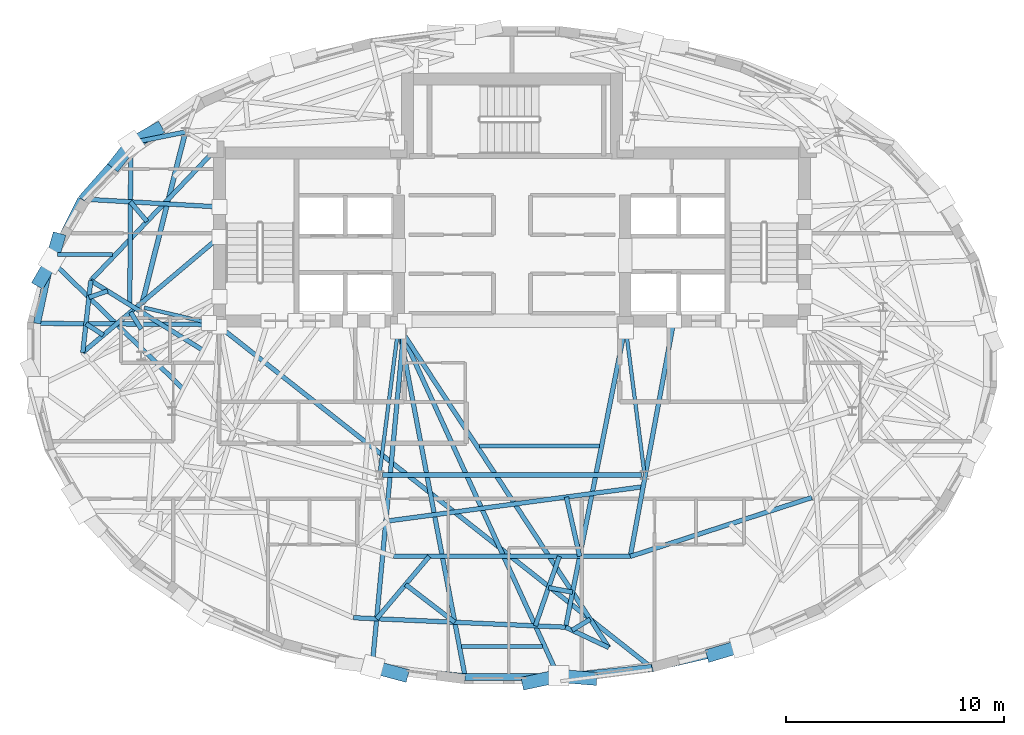
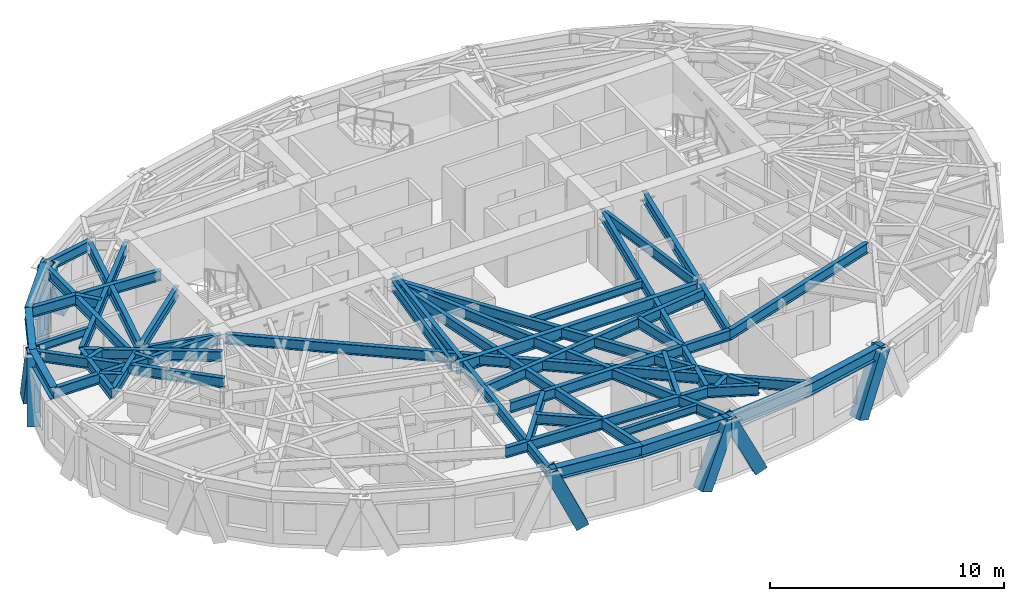
# One storey, part 2 of 13: 46 beams, 8 members.
"""IFC4 building model written with IfcOpenShell, lengths in metres."""

import ifcopenshell
import ifcopenshell.guid

model = None  # the IFC model being written
_history = None  # IfcOwnerHistory: only IFC2X3 demands one
_inside = {}  # id of a spatial element -> (the spatial element, [elements in it])
_under = {}  # id of a project, library or spatial element -> (it, [spatial elements below it])
_declared = {}  # id of a project -> (the project, [libraries it declares])
_typed = {}  # id of a type object -> (the type object, [elements of that type])
_made_of = {}  # id of a material, layer set ... -> (it, [elements and type objects made of it])


def new_model(schema):
    """Start an empty IFC model of exactly this schema.

    Asked for "IFC4X3", IfcOpenShell would pick the latest addendum, in which some entities
    have other attributes; the version numbers below select the first issue.
    IFC2X3 requires an IfcOwnerHistory on every rooted entity: one is made here for all.
    """
    global model, _history
    if schema == "IFC4X3":
        model = ifcopenshell.file(schema_version=(4, 3, 0, 0))
    else:
        model = ifcopenshell.file(schema=schema)
    _inside.clear()
    _under.clear()
    _declared.clear()
    _typed.clear()
    _made_of.clear()
    _history = None
    if model.schema == "IFC2X3":
        org = make("IfcOrganization", Name="unknown")
        user = make(
            "IfcPersonAndOrganization",
            ThePerson=make("IfcPerson", FamilyName="unknown"),
            TheOrganization=org,
        )
        app = make(
            "IfcApplication",
            ApplicationDeveloper=org,
            Version="unknown",
            ApplicationFullName="unknown",
            ApplicationIdentifier="unknown",
        )
        _history = make(
            "IfcOwnerHistory",
            OwningUser=user,
            OwningApplication=app,
            ChangeAction="ADDED",
            CreationDate=0,
        )
    return model


def make(cls, **values):
    """One entity of the class cls with the attributes given. An attribute that is None is left unset."""
    return model.create_entity(
        cls, **{name: value for name, value in values.items() if value is not None}
    )


def rooted(cls, **values):
    """An entity with a GlobalId (a new one), such as an element, a storey or a relation."""
    return make(cls, GlobalId=ifcopenshell.guid.new(), OwnerHistory=_history, **values)


def si_unit(unit_type, name, prefix=None):
    """IfcSIUnit, for example si_unit("LENGTHUNIT", "METRE", prefix="MILLI")."""
    return make("IfcSIUnit", UnitType=unit_type, Prefix=prefix, Name=name)


def assignment(units):
    """IfcUnitAssignment: the units of a project."""
    return None if units is None else make("IfcUnitAssignment", Units=units)


def point(xyz):
    """IfcCartesianPoint."""
    return None if xyz is None else make("IfcCartesianPoint", Coordinates=xyz)


def direction(xyz):
    """IfcDirection."""
    return None if xyz is None else make("IfcDirection", DirectionRatios=xyz)


def frame(location, z_axis=None, x_axis=None):
    """IfcAxis2Placement3D, a coordinate frame: its origin and axes. An axis left out is left unset."""
    return make(
        "IfcAxis2Placement3D",
        Location=point(location),
        Axis=direction(z_axis),
        RefDirection=direction(x_axis),
    )


def frame_2d(location, x_axis=None):
    """IfcAxis2Placement2D, a coordinate frame in the plane: its origin and x axis."""
    return make(
        "IfcAxis2Placement2D", Location=point(location), RefDirection=direction(x_axis)
    )


def origin():
    """The frame at (0, 0, 0) with its axes left unset."""
    return frame((0.0, 0.0, 0.0))


def origin_2d():
    """The frame at (0, 0) in the plane with its x axis left unset."""
    return frame_2d((0.0, 0.0))


def place(relative_to, where):
    """IfcLocalPlacement: puts the frame where relative to a parent placement (None: the world)."""
    return make(
        "IfcLocalPlacement", PlacementRelTo=relative_to, RelativePlacement=where
    )


def context(
    kind, dimensions, precision=None, world=None, true_north=None, identifier=None
):
    """IfcGeometricRepresentationContext, for example the 3D "Model" context."""
    return make(
        "IfcGeometricRepresentationContext",
        ContextIdentifier=identifier,
        ContextType=kind,
        CoordinateSpaceDimension=dimensions,
        Precision=precision,
        WorldCoordinateSystem=world,
        TrueNorth=true_north,
    )


def subcontext(parent, identifier, kind, view, scale=None):
    """IfcGeometricRepresentationSubContext, for example "Body" below "Model"."""
    return make(
        "IfcGeometricRepresentationSubContext",
        ContextIdentifier=identifier,
        ContextType=kind,
        ParentContext=parent,
        TargetScale=scale,
        TargetView=view,
    )


def project(units=None, contexts=None):
    """IfcProject with its units and contexts."""
    return rooted(
        "IfcProject",
        Name="project",
        RepresentationContexts=contexts,
        UnitsInContext=assignment(units),
    )


def spatial(cls, under=None, at=None, **own):
    """A site, building, storey or space (cls), placed at a placement, below another one or the project."""
    s = rooted(cls, ObjectPlacement=at, **own)
    if under is not None:
        _under.setdefault(under.id(), (under, []))[1].append(s)
    return s


def profile(cls, at=None, kind="AREA", **sizes):
    """A parametric profile (cls). Its sizes go by their IFC names, for example OverallWidth=200.0."""
    return make(cls, ProfileType=kind, Position=at, **sizes)


def hollow_rectangle(**sizes):
    """IfcRectangleHollowProfileDef."""
    return profile("IfcRectangleHollowProfileDef", **sizes)


def i_section(**sizes):
    """IfcIShapeProfileDef."""
    return profile("IfcIShapeProfileDef", **sizes)


def extrude(swept, where, along, depth):
    """IfcExtrudedAreaSolid: the profile swept, set in the frame where, extruded along a direction by depth."""
    return make(
        "IfcExtrudedAreaSolid",
        SweptArea=swept,
        Position=where,
        ExtrudedDirection=direction(along),
        Depth=depth,
    )


def shape(context_of_items, identifier, shape_type, items):
    """IfcShapeRepresentation: the items that make up one representation, for example the "Body"."""
    return make(
        "IfcShapeRepresentation",
        ContextOfItems=context_of_items,
        RepresentationIdentifier=identifier,
        RepresentationType=shape_type,
        Items=items,
    )


def material(Name=None, Category=None):
    """IfcMaterial."""
    return make("IfcMaterial", Name=Name, Category=Category)


def material_profile(
    of_material, cross_section, Name=None, Category=None, Priority=None
):
    """IfcMaterialProfile: a cross section and its material."""
    return make(
        "IfcMaterialProfile",
        Name=Name,
        Material=of_material,
        Profile=cross_section,
        Priority=Priority,
        Category=Category,
    )


def profile_set(profiles, Name=None, composite=None):
    """IfcMaterialProfileSet."""
    return make(
        "IfcMaterialProfileSet",
        Name=Name,
        MaterialProfiles=profiles,
        CompositeProfile=composite,
    )


def made_of(thing, what):
    """Note that an element or type object is made of a material, layer set ...; save() writes the relation."""
    if what is not None:
        _made_of.setdefault(what.id(), (what, []))[1].append(thing)
    return thing


def type_object(cls, material=None, **own):
    """A type object (cls), such as IfcWallType, which elements share."""
    return made_of(rooted(cls, **own), material)


def element(
    cls,
    number,
    at=None,
    inside=None,
    cuts=None,
    type_object=None,
    material=None,
    context=None,
    identifier="Body",
    shape_type=None,
    held_by="IfcProductDefinitionShape",
    body=None,
    shapes=None,
    **own,
):
    """One element of the class cls, such as IfcWall. Its Tag is "e" and its number.

    at: its placement. inside: the storey or other place that contains it. cuts: it is an
    opening in that element (IfcRelVoidsElement). A single representation is given by context,
    identifier, shape_type and body (its items); several are given by shapes. held_by: the class
    of the entity that holds the representations. save() writes the other relations.
    """
    e = rooted(cls, Tag="e%d" % number, ObjectPlacement=at, **own)
    if body is not None:
        shapes = [shape(context, identifier, shape_type, body)]
    if shapes is not None:
        e.Representation = make(held_by, Representations=shapes)
    if inside is not None:
        _inside.setdefault(inside.id(), (inside, []))[1].append(e)
    if cuts is not None:
        rooted(
            "IfcRelVoidsElement", RelatingBuildingElement=cuts, RelatedOpeningElement=e
        )
    if type_object is not None:
        _typed.setdefault(type_object.id(), (type_object, []))[1].append(e)
    return made_of(e, material)


def aggregate(whole, parts):
    """IfcRelAggregates: a whole, such as a stair, and the parts it consists of."""
    return rooted("IfcRelAggregates", RelatingObject=whole, RelatedObjects=parts)


def save(model, path):
    """Write the relations noted so far, then the file.

    IfcRelAggregates (storeys below a building ...), IfcRelContainedInSpatialStructure (elements
    in a storey), IfcRelDefinesByType, IfcRelAssociatesMaterial and IfcRelDeclares: one each for
    every whole, place, type object, material and project.
    """
    for whole, parts in _under.values():
        aggregate(whole, parts)
    for where, things in _inside.values():
        rooted(
            "IfcRelContainedInSpatialStructure",
            RelatedElements=things,
            RelatingStructure=where,
        )
    for kind, things in _typed.values():
        rooted("IfcRelDefinesByType", RelatedObjects=things, RelatingType=kind)
    for what, things in _made_of.values():
        rooted("IfcRelAssociatesMaterial", RelatedObjects=things, RelatingMaterial=what)
    for by, libraries in _declared.values():
        rooted("IfcRelDeclares", RelatingContext=by, RelatedDefinitions=libraries)
    model.write(path)


model = new_model("IFC4")

# Units and contexts
model_context = context("Model", 3, precision=1e-05, world=origin(), true_north=direction((0.0, 1.0)))
body_context = subcontext(model_context, "Body", "Model", "MODEL_VIEW")
ifc_project = project(units=[si_unit("LENGTHUNIT", "METRE"), si_unit("AREAUNIT", "SQUARE_METRE"), si_unit("VOLUMEUNIT", "CUBIC_METRE"), si_unit("PLANEANGLEUNIT", "RADIAN"), si_unit("MASSUNIT", "GRAM", prefix="KILO")], contexts=[model_context])

# Site, building, storey
site_placement = place(None, origin())
site = spatial("IfcSite", under=ifc_project, at=site_placement, CompositionType="ELEMENT")
building_placement = place(site_placement, origin())
building = spatial("IfcBuilding", under=site, at=building_placement, Name="Keldmark Tower", CompositionType="ELEMENT")
storey_placement = place(building_placement, frame((0.0, 0.0, 232.050048828125)))
storey = spatial("IfcBuildingStorey", under=building, at=storey_placement, Name="L65", CompositionType="ELEMENT", Elevation=232.050048828125)

# Beams
ifc_material_1 = material(Name="Steel ASTM A992 Grade 50", Category="steel")
ifc_material_profile_1 = material_profile(ifc_material_1, i_section(OverallWidth=0.177978515625, OverallDepth=0.403076171875, WebThickness=0.007568359375, FlangeThickness=0.010986328125, at=origin_2d()), Name="W16X36")
ifc_profile_set_1 = profile_set([ifc_material_profile_1], Name="Steel ASTM A992 Grade 50")
beam_type_1 = type_object("IfcBeamType", Name="Composite Floor Joist W16X36", PredefinedType="JOIST", material=ifc_profile_set_1)
beam_1_placement = place(storey_placement, frame((-2.3173828125, -13.3798828125, 2.7685546875), z_axis=(1.0, 0.0, 0.0), x_axis=(0.0, 1.0, 0.0)))
element("IfcBeam", 1, at=beam_1_placement, inside=storey, type_object=beam_type_1, Name="L65 Composite Floor Joist J01", PredefinedType="JOIST", context=body_context, shape_type="SweptSolid", body=[
    extrude(i_section(OverallWidth=0.177978515625, OverallDepth=0.403076171875, WebThickness=0.007568359375, FlangeThickness=0.010986328125, at=origin_2d()), origin(), (0.0, 0.0, 1.0), 3.7158203125),
])
beam_2_placement = place(storey_placement, frame((-1.49658203125, -4.179931640625, 2.7685546875), z_axis=(1.0, 0.0, 0.0), x_axis=(0.0, 1.0, 0.0)))
element("IfcBeam", 2, at=beam_2_placement, inside=storey, type_object=beam_type_1, Name="L65 Composite Floor Joist J04", PredefinedType="JOIST", context=body_context, shape_type="SweptSolid", body=[
    extrude(i_section(OverallWidth=0.177978515625, OverallDepth=0.403076171875, WebThickness=0.007568359375, FlangeThickness=0.010986328125, at=origin_2d()), origin(), (0.0, 0.0, 1.0), 5.510986328125),
])
beam_3_placement = place(storey_placement, frame((-20.87939453125, 4.6201171875, 2.7685546875), z_axis=(1.0, 0.0, 0.0), x_axis=(0.0, 1.0, 0.0)))
element("IfcBeam", 3, at=beam_3_placement, inside=storey, type_object=beam_type_1, Name="L65 Composite Floor Joist J06", PredefinedType="JOIST", context=body_context, shape_type="SweptSolid", body=[
    extrude(i_section(OverallWidth=0.177978515625, OverallDepth=0.403076171875, WebThickness=0.007568359375, FlangeThickness=0.010986328125, at=origin_2d()), origin(), (0.0, 0.0, 1.0), 2.54443359375),
])

# Members
ifc_material_2 = material(Name="Steel ASTM A572 Grade 50", Category="steel")
ifc_material_profile_2 = material_profile(ifc_material_2, hollow_rectangle(XDim=0.60009765625, YDim=0.60009765625, WallThickness=0.034912109375, at=origin_2d()), Name="BOX600X600X35")
ifc_profile_set_2 = profile_set([ifc_material_profile_2], Name="Steel ASTM A572 Grade 50")
member_type = type_object("IfcMemberType", Name="Diagrid Zone 4 Brace BOX600X600X35", PredefinedType="BRACE", material=ifc_profile_set_2)
member_1_placement = place(storey_placement, frame((-16.324462890625, 10.34423828125, -0.260009765625), z_axis=(-0.338365773657, -0.192287794861, 0.921159056388), x_axis=(0.494076446789, -0.869418463531, 0.0)))
element("IfcMember", 4, at=member_1_placement, inside=storey, type_object=member_type, Name="L65 Perimeter Diagrid Brace 06B", PredefinedType="BRACE", context=body_context, shape_type="SweptSolid", body=[
    extrude(hollow_rectangle(XDim=0.60009765625, YDim=0.60009765625, WallThickness=0.034912109375, at=origin_2d()), origin(), (0.0, 0.0, 1.0), 3.3759765625),
])
member_2_placement = place(storey_placement, frame((-18.16064453125, 8.81298828125, -0.260009765625), z_axis=(0.212120336598, 0.268985698044, 0.939495426838), x_axis=(-0.785218835087, 0.619218362958, 0.0)))
element("IfcMember", 5, at=member_2_placement, inside=storey, type_object=member_type, Name="L65 Perimeter Diagrid Brace 07A", PredefinedType="BRACE", context=body_context, shape_type="SweptSolid", body=[
    extrude(hollow_rectangle(XDim=0.60009765625, YDim=0.60009765625, WallThickness=0.034912109375, at=origin_2d()), origin(), (0.0, 0.0, 1.0), 3.31005859375),
])
member_3_placement = place(storey_placement, frame((-20.849853515625, 5.306884765625, -0.260009765625), z_axis=(-0.086104928062, -0.298755746934, 0.950437238873), x_axis=(0.960887473413, -0.276939096983, 0.0)))
element("IfcMember", 6, at=member_3_placement, inside=storey, type_object=member_type, Name="L65 Perimeter Diagrid Brace 07B", PredefinedType="BRACE", context=body_context, shape_type="SweptSolid", body=[
    extrude(hollow_rectangle(XDim=0.60009765625, YDim=0.60009765625, WallThickness=0.034912109375, at=origin_2d()), origin(), (0.0, 0.0, 1.0), 3.27197265625),
])
member_4_placement = place(storey_placement, frame((-21.659912109375, 3.419189453125, -0.260009765625), z_axis=(0.162076790488, 0.280180409589, 0.946165974905), x_axis=(-0.865604293253, 0.500728676532, 0.0)))
element("IfcMember", 7, at=member_4_placement, inside=storey, type_object=member_type, Name="L65 Perimeter Diagrid Brace 08A", PredefinedType="BRACE", context=body_context, shape_type="SweptSolid", body=[
    extrude(hollow_rectangle(XDim=0.60009765625, YDim=0.60009765625, WallThickness=0.034912109375, at=origin_2d()), origin(), (0.0, 0.0, 1.0), 3.286865234375),
])
member_5_placement = place(storey_placement, frame((-5.050537109375, -14.669921875, -0.260009765625), z_axis=(-0.397960766019, 0.106161024047, 0.911239302095), x_axis=(-0.257749131885, -0.966211873769, 0.0)))
element("IfcMember", 8, at=member_5_placement, inside=storey, type_object=member_type, Name="L65 Perimeter Diagrid Brace 12A", PredefinedType="BRACE", context=body_context, shape_type="SweptSolid", body=[
    extrude(hollow_rectangle(XDim=0.60009765625, YDim=0.60009765625, WallThickness=0.034912109375, at=origin_2d()), origin(), (0.0, 0.0, 1.0), 3.412841796875),
])
member_6_placement = place(storey_placement, frame((0.73681640625, -15.03515625, -0.260009765625), z_axis=(0.41297782147, 0.089227117182, 0.906359664004), x_axis=(-0.211184947414, 0.977446120247, 0.0)))
element("IfcMember", 9, at=member_6_placement, inside=storey, type_object=member_type, Name="L65 Perimeter Diagrid Brace 12B", PredefinedType="BRACE", context=body_context, shape_type="SweptSolid", body=[
    extrude(hollow_rectangle(XDim=0.60009765625, YDim=0.60009765625, WallThickness=0.034912109375, at=origin_2d()), origin(), (0.0, 0.0, 1.0), 3.43115234375),
])
member_7_placement = place(storey_placement, frame((3.624267578125, -14.851318359375, -0.260009765625), z_axis=(-0.429967981747, 0.035482450808, 0.902146623536), x_axis=(-0.082243901852, -0.996612231817, 0.0)))
element("IfcMember", 10, at=member_7_placement, inside=storey, type_object=member_type, Name="L65 Perimeter Diagrid Brace 13A", PredefinedType="BRACE", context=body_context, shape_type="SweptSolid", body=[
    extrude(hollow_rectangle(XDim=0.60009765625, YDim=0.60009765625, WallThickness=0.034912109375, at=origin_2d()), origin(), (0.0, 0.0, 1.0), 3.447265625),
])
member_8_placement = place(storey_placement, frame((9.212158203125, -13.748779296875, -0.260009765625), z_axis=(0.393106124465, 0.11642815271, 0.912092133594), x_axis=(-0.28398129133, 0.958829821279, 0.0)))
element("IfcMember", 11, at=member_8_placement, inside=storey, type_object=member_type, Name="L65 Perimeter Diagrid Brace 13B", PredefinedType="BRACE", context=body_context, shape_type="SweptSolid", body=[
    extrude(hollow_rectangle(XDim=0.60009765625, YDim=0.60009765625, WallThickness=0.034912109375, at=origin_2d()), origin(), (0.0, 0.0, 1.0), 3.40966796875),
])

# Beams
ifc_material_3 = material(Name="Steel ASTM A992 Grade 50", Category="steel")
ifc_material_profile_3 = material_profile(ifc_material_3, i_section(OverallWidth=0.22802734375, OverallDepth=0.60302734375, WebThickness=0.010498046875, FlangeThickness=0.014892578125, at=origin_2d()), Name="W24X68")
ifc_profile_set_3 = profile_set([ifc_material_profile_3], Name="Steel ASTM A992 Grade 50")
beam_type_2 = type_object("IfcBeamType", Name="Primary Floor Girder W24X68", PredefinedType="BEAM", material=ifc_profile_set_3)
beam_4_placement = place(storey_placement, frame((-15.030029296875, 10.10791015625, 2.66845703125), z_axis=(-0.244902129455, -0.969547805417, 0.0), x_axis=(0.969547805417, -0.244902129455, 0.0)))
element("IfcBeam", 12, at=beam_4_placement, inside=storey, type_object=beam_type_2, Name="L65 Floor Ring Girder FG-R05", PredefinedType="BEAM", context=body_context, shape_type="SweptSolid", body=[
    extrude(i_section(OverallWidth=0.22802734375, OverallDepth=0.60302734375, WebThickness=0.010498046875, FlangeThickness=0.014892578125, at=origin_2d()), origin(), (0.0, 0.0, 1.0), 8.008056640625),
])
beam_5_placement = place(storey_placement, frame((-5.949462890625, -5.512939453125, 2.66845703125), z_axis=(1.0, 0.0, 0.0), x_axis=(0.0, 1.0, 0.0)))
element("IfcBeam", 13, at=beam_5_placement, inside=storey, type_object=beam_type_2, Name="L65 Floor Ring Girder FG-R09", PredefinedType="BEAM", context=body_context, shape_type="SweptSolid", body=[
    extrude(i_section(OverallWidth=0.22802734375, OverallDepth=0.60302734375, WebThickness=0.010498046875, FlangeThickness=0.014892578125, at=origin_2d()), origin(), (0.0, 0.0, 1.0), 11.89892578125),
])
ifc_material_4 = material(Name="Steel ASTM A992 Grade 50", Category="steel")
ifc_material_profile_4 = material_profile(ifc_material_4, i_section(OverallWidth=0.166015625, OverallDepth=0.529052734375, WebThickness=0.009765625, FlangeThickness=0.013671875, at=origin_2d()), Name="W21X50")
ifc_profile_set_4 = profile_set([ifc_material_profile_4], Name="Steel ASTM A992 Grade 50")
beam_type_3 = type_object("IfcBeamType", Name="Radial Tie Girder W21X50", PredefinedType="BEAM", material=ifc_profile_set_4)
beam_6_placement = place(storey_placement, frame((-16.889404296875, 2.17578125, 2.70556640625), z_axis=(0.97329039005, -0.229577474147, 0.0), x_axis=(0.229577474147, 0.97329039005, 0.0)))
element("IfcBeam", 14, at=beam_6_placement, inside=storey, type_object=beam_type_3, Name="L65 Floor Radial Girder FG-C06", PredefinedType="BEAM", context=body_context, shape_type="SweptSolid", body=[
    extrude(i_section(OverallWidth=0.166015625, OverallDepth=0.529052734375, WebThickness=0.009765625, FlangeThickness=0.013671875, at=origin_2d()), origin(), (0.0, 0.0, 1.0), 3.0595703125),
])
for number, where, z_axis, x_axis, name in (
    (15, (-6.071533203125, -5.3740234375, 2.70556640625), (0.127625044513, 0.991822488157, 0.0), (-0.991822488157, 0.127625044513, 0.0), "L65 Floor Radial Girder FG-C09"),
    (16, (6.071533203125, -5.3740234375, 2.70556640625), (-0.127625044513, 0.991822488157, 0.0), (-0.991822488157, -0.127625044513, 0.0), "L65 Floor Radial Girder FG-C10"),
):
    element("IfcBeam", number, at=place(storey_placement, frame(where, z_axis=z_axis, x_axis=x_axis)), inside=storey, type_object=beam_type_3, Name=name, PredefinedType="BEAM", context=body_context, shape_type="SweptSolid", body=[
        extrude(i_section(OverallWidth=0.166015625, OverallDepth=0.529052734375, WebThickness=0.009765625, FlangeThickness=0.013671875, at=origin_2d()), origin(), (0.0, 0.0, 1.0), 6.509765625),
    ])
ifc_material_5 = material(Name="Steel ASTM A992 Grade 50", Category="steel")
ifc_material_profile_5 = material_profile(ifc_material_5, i_section(OverallWidth=0.2099609375, OverallDepth=0.537109375, WebThickness=0.010986328125, FlangeThickness=0.017333984375, at=origin_2d()), Name="W21X68")
ifc_profile_set_5 = profile_set([ifc_material_profile_5], Name="Steel ASTM A992 Grade 50")
beam_type_4 = type_object("IfcBeamType", Name="Radial Tie Girder W21X68", PredefinedType="BEAM", material=ifc_profile_set_5)
beam_7_placement = place(storey_placement, frame((-17.025634765625, 1.189697265625, 2.701416015625), z_axis=(-0.527856749406, 0.849333416337, 0.0), x_axis=(-0.849333416337, -0.527856749406, 0.0)))
element("IfcBeam", 17, at=beam_7_placement, inside=storey, type_object=beam_type_4, Name="L65 Framing Pin Header PH-001", PredefinedType="BEAM", context=body_context, shape_type="SweptSolid", body=[
    extrude(i_section(OverallWidth=0.2099609375, OverallDepth=0.537109375, WebThickness=0.010986328125, FlangeThickness=0.017333984375, at=origin_2d()), origin(), (0.0, 0.0, 1.0), 0.922607421875),
])
beam_8_placement = place(storey_placement, frame((-13.425048828125, 5.425048828125, 2.701416015625), z_axis=(-0.764059179504, -0.645146161901, 0.0), x_axis=(0.645146161901, -0.764059179504, 0.0)))
element("IfcBeam", 18, at=beam_8_placement, inside=storey, type_object=beam_type_4, Name="L65 Sub-Ring Step Girder STP1-M07", PredefinedType="BEAM", context=body_context, shape_type="SweptSolid", body=[
    extrude(i_section(OverallWidth=0.2099609375, OverallDepth=0.537109375, WebThickness=0.010986328125, FlangeThickness=0.017333984375, at=origin_2d()), origin(), (0.0, 0.0, 1.0), 8.224609375),
])
beam_9_placement = place(storey_placement, frame((-5.731201171875, -7.622314453125, 2.701416015625), z_axis=(0.991115173164, 0.133006441662, 0.0), x_axis=(-0.133006441662, 0.991115173164, 0.0)))
element("IfcBeam", 19, at=beam_9_placement, inside=storey, type_object=beam_type_4, Name="L65 Framing Pin Header PH-004", PredefinedType="BEAM", context=body_context, shape_type="SweptSolid", body=[
    extrude(i_section(OverallWidth=0.2099609375, OverallDepth=0.537109375, WebThickness=0.010986328125, FlangeThickness=0.017333984375, at=origin_2d()), origin(), (0.0, 0.0, 1.0), 11.859619140625),
])
beam_10_placement = place(storey_placement, frame((7.43212890625, 1.574951171875, 2.701416015625), z_axis=(-0.181862035839, -0.983324056413, 0.0), x_axis=(0.983324056413, -0.181862035839, 0.0)))
element("IfcBeam", 20, at=beam_10_placement, inside=storey, type_object=beam_type_4, Name="L65 Sub-Ring Step Girder STP1-M10", PredefinedType="BEAM", context=body_context, shape_type="SweptSolid", body=[
    extrude(i_section(OverallWidth=0.2099609375, OverallDepth=0.537109375, WebThickness=0.010986328125, FlangeThickness=0.017333984375, at=origin_2d()), origin(), (0.0, 0.0, 1.0), 11.004150390625),
])
beam_11_placement = place(storey_placement, frame((-5.430908203125, -9.24560546875, 2.701416015625), z_axis=(1.0, 0.0, 0.0), x_axis=(0.0, 1.0, 0.0)))
element("IfcBeam", 21, at=beam_11_placement, inside=storey, type_object=beam_type_4, Name="L65 Perimeter Collector Ring Beam CRG1-M09", PredefinedType="BEAM", context=body_context, shape_type="SweptSolid", body=[
    extrude(i_section(OverallWidth=0.2099609375, OverallDepth=0.537109375, WebThickness=0.010986328125, FlangeThickness=0.017333984375, at=origin_2d()), origin(), (0.0, 0.0, 1.0), 10.86181640625),
])
beam_12_placement = place(storey_placement, frame((5.430908203125, -9.24560546875, 2.701416015625), z_axis=(0.951190555886, 0.308604158094, 0.0), x_axis=(-0.308604158094, 0.951190555886, 0.0)))
element("IfcBeam", 22, at=beam_12_placement, inside=storey, type_object=beam_type_4, Name="L65 Perimeter Collector Ring Beam CRG1-M10", PredefinedType="BEAM", context=body_context, shape_type="SweptSolid", body=[
    extrude(i_section(OverallWidth=0.2099609375, OverallDepth=0.537109375, WebThickness=0.010986328125, FlangeThickness=0.017333984375, at=origin_2d()), origin(), (0.0, 0.0, 1.0), 8.763916015625),
])
beam_13_placement = place(storey_placement, frame((2.49658203125, -6.518310546875, 2.701416015625), z_axis=(0.218391640192, -0.975861205036, 0.0), x_axis=(0.975861205036, 0.218391640192, 0.0)))
element("IfcBeam", 23, at=beam_13_placement, inside=storey, type_object=beam_type_4, Name="L65 Framing Pin Header PH-010", PredefinedType="BEAM", context=body_context, shape_type="SweptSolid", body=[
    extrude(i_section(OverallWidth=0.2099609375, OverallDepth=0.537109375, WebThickness=0.010986328125, FlangeThickness=0.017333984375, at=origin_2d()), origin(), (0.0, 0.0, 1.0), 2.794677734375),
])
beam_14_placement = place(storey_placement, frame((5.199951171875, 1.300048828125, 2.701416015625), z_axis=(-0.194673845124, -0.980868030891, 0.0), x_axis=(0.980868030891, -0.194673845124, 0.0)))
element("IfcBeam", 24, at=beam_14_placement, inside=storey, type_object=beam_type_4, Name="L65 Sub-Ring Step Girder STP2-M10", PredefinedType="BEAM", context=body_context, shape_type="SweptSolid", body=[
    extrude(i_section(OverallWidth=0.2099609375, OverallDepth=0.537109375, WebThickness=0.010986328125, FlangeThickness=0.017333984375, at=origin_2d()), origin(), (0.0, 0.0, 1.0), 14.064697265625),
])
beam_15_placement = place(storey_placement, frame((-7.2841796875, -12.06103515625, 2.701416015625), z_axis=(0.99900738248, -0.044544918357, 0.0), x_axis=(0.044544918357, 0.99900738248, 0.0)))
element("IfcBeam", 25, at=beam_15_placement, inside=storey, type_object=beam_type_4, Name="L65 Perimeter Collector Ring Beam CRG2-M09", PredefinedType="BEAM", context=body_context, shape_type="SweptSolid", body=[
    extrude(i_section(OverallWidth=0.2099609375, OverallDepth=0.537109375, WebThickness=0.010986328125, FlangeThickness=0.017333984375, at=origin_2d()), origin(), (0.0, 0.0, 1.0), 9.755859375),
])
beam_16_placement = place(storey_placement, frame((-14.995849609375, 10.24365234375, 2.701416015625), z_axis=(-0.9805513071, -0.19626292096, 0.0), x_axis=(0.19626292096, -0.9805513071, 0.0)))
element("IfcBeam", 26, at=beam_16_placement, inside=storey, type_object=beam_type_4, Name="L65 Perimeter Column Bracket RT-13", PredefinedType="BEAM", context=body_context, shape_type="SweptSolid", body=[
    extrude(i_section(OverallWidth=0.2099609375, OverallDepth=0.537109375, WebThickness=0.010986328125, FlangeThickness=0.017333984375, at=origin_2d()), origin(), (0.0, 0.0, 1.0), 2.558837890625),
])
beam_17_placement = place(storey_placement, frame((-17.5048828125, 9.741455078125, 2.701416015625), z_axis=(-0.005976315955, -0.999982141664, 0.0), x_axis=(0.999982141664, -0.005976315955, 0.0)))
element("IfcBeam", 27, at=beam_17_placement, inside=storey, type_object=beam_type_4, Name="L65 Framing Pin Header PH-018", PredefinedType="BEAM", context=body_context, shape_type="SweptSolid", body=[
    extrude(i_section(OverallWidth=0.2099609375, OverallDepth=0.537109375, WebThickness=0.010986328125, FlangeThickness=0.017333984375, at=origin_2d()), origin(), (0.0, 0.0, 1.0), 7.43505859375),
])
beam_18_placement = place(storey_placement, frame((-14.197021484375, 0.225341796875, 2.701416015625), z_axis=(-0.849577264473, 0.52746418996, 0.0), x_axis=(-0.52746418996, -0.849577264473, 0.0)))
element("IfcBeam", 28, at=beam_18_placement, inside=storey, type_object=beam_type_4, Name="L65 Intermediate Radial Step Girder RT-15M", PredefinedType="BEAM", context=body_context, shape_type="SweptSolid", body=[
    extrude(i_section(OverallWidth=0.2099609375, OverallDepth=0.537109375, WebThickness=0.010986328125, FlangeThickness=0.017333984375, at=origin_2d()), origin(), (0.0, 0.0, 1.0), 6.057373046875),
])
beam_19_placement = place(storey_placement, frame((-19.709228515625, 0.118896484375, 2.701416015625), z_axis=(0.110173383311, 0.993912383266, 0.0), x_axis=(-0.993912383266, 0.110173383311, 0.0)))
element("IfcBeam", 29, at=beam_19_placement, inside=storey, type_object=beam_type_4, Name="L65 Local Collector Chord RT-15C", PredefinedType="BEAM", context=body_context, shape_type="SweptSolid", body=[
    extrude(i_section(OverallWidth=0.2099609375, OverallDepth=0.537109375, WebThickness=0.010986328125, FlangeThickness=0.017333984375, at=origin_2d()), origin(), (0.0, 0.0, 1.0), 3.32177734375),
])
beam_20_placement = place(storey_placement, frame((-18.5712890625, 2.941162109375, 2.701416015625), z_axis=(-0.947325582596, -0.320272135159, 0.0), x_axis=(0.320272135159, -0.947325582596, 0.0)))
element("IfcBeam", 30, at=beam_20_placement, inside=storey, type_object=beam_type_4, Name="L65 Framing Pin Header PH-019", PredefinedType="BEAM", context=body_context, shape_type="SweptSolid", body=[
    extrude(i_section(OverallWidth=0.2099609375, OverallDepth=0.537109375, WebThickness=0.010986328125, FlangeThickness=0.017333984375, at=origin_2d()), origin(), (0.0, 0.0, 1.0), 0.90478515625),
])
beam_21_placement = place(storey_placement, frame((-15.100830078125, -1.55322265625, 2.701416015625), z_axis=(-0.717222249337, 0.6968444913, 0.0), x_axis=(-0.6968444913, -0.717222249337, 0.0)))
element("IfcBeam", 31, at=beam_21_placement, inside=storey, type_object=beam_type_4, Name="L65 Perimeter Radial Tie Girder RT-15", PredefinedType="BEAM", context=body_context, shape_type="SweptSolid", body=[
    extrude(i_section(OverallWidth=0.2099609375, OverallDepth=0.537109375, WebThickness=0.010986328125, FlangeThickness=0.017333984375, at=origin_2d()), origin(), (0.0, 0.0, 1.0), 8.482421875),
])
beam_22_placement = place(storey_placement, frame((-18.7666015625, 0.914794921875, 2.701416015625), z_axis=(-0.834169309851, 0.551508442821, 0.0), x_axis=(-0.551508442821, -0.834169309851, 0.0)))
element("IfcBeam", 32, at=beam_22_placement, inside=storey, type_object=beam_type_4, Name="L65 Framing Pin Header PH-020", PredefinedType="BEAM", context=body_context, shape_type="SweptSolid", body=[
    extrude(i_section(OverallWidth=0.2099609375, OverallDepth=0.537109375, WebThickness=0.010986328125, FlangeThickness=0.017333984375, at=origin_2d()), origin(), (0.0, 0.0, 1.0), 0.954345703125),
])
beam_23_placement = place(storey_placement, frame((-13.60009765625, 1.39990234375, 2.701416015625), z_axis=(-0.999976198415, 0.006899464031, 0.0), x_axis=(-0.006899464031, -0.999976198415, 0.0)))
element("IfcBeam", 33, at=beam_23_placement, inside=storey, type_object=beam_type_4, Name="L65 Perimeter Radial Tie Girder RT-16", PredefinedType="BEAM", context=body_context, shape_type="SweptSolid", body=[
    extrude(i_section(OverallWidth=0.2099609375, OverallDepth=0.537109375, WebThickness=0.010986328125, FlangeThickness=0.017333984375, at=origin_2d()), origin(), (0.0, 0.0, 1.0), 8.20947265625),
])
beam_24_placement = place(storey_placement, frame((-3.8017578125, -9.24560546875, 2.701416015625), z_axis=(-0.644274307171, -0.76479449339, 0.0), x_axis=(0.76479449339, -0.644274307171, 0.0)))
element("IfcBeam", 34, at=beam_24_placement, inside=storey, type_object=beam_type_4, Name="L65 Framing Pin Header PH-027", PredefinedType="BEAM", context=body_context, shape_type="SweptSolid", body=[
    extrude(i_section(OverallWidth=0.2099609375, OverallDepth=0.537109375, WebThickness=0.010986328125, FlangeThickness=0.017333984375, at=origin_2d()), origin(), (0.0, 0.0, 1.0), 3.74365234375),
])
beam_25_placement = place(storey_placement, frame((-4.925048828125, 1.574951171875, 2.701416015625), z_axis=(-0.09376489152, -0.995594367761, 0.0), x_axis=(0.995594367761, -0.09376489152, 0.0)))
element("IfcBeam", 35, at=beam_25_placement, inside=storey, type_object=beam_type_4, Name="L65 Perimeter Radial Tie Girder RT-23", PredefinedType="BEAM", context=body_context, shape_type="SweptSolid", body=[
    extrude(i_section(OverallWidth=0.2099609375, OverallDepth=0.537109375, WebThickness=0.010986328125, FlangeThickness=0.017333984375, at=origin_2d()), origin(), (0.0, 0.0, 1.0), 16.010498046875),
])
beam_26_placement = place(storey_placement, frame((-4.88720703125, -10.533935546875, 2.701416015625), z_axis=(0.793362245365, -0.608749823514, 0.0), x_axis=(0.608749823514, 0.793362245365, 0.0)))
element("IfcBeam", 36, at=beam_26_placement, inside=storey, type_object=beam_type_4, Name="L65 Framing Pin Header PH-028", PredefinedType="BEAM", context=body_context, shape_type="SweptSolid", body=[
    extrude(i_section(OverallWidth=0.2099609375, OverallDepth=0.537109375, WebThickness=0.010986328125, FlangeThickness=0.017333984375, at=origin_2d()), origin(), (0.0, 0.0, 1.0), 2.849853515625),
])
beam_27_placement = place(storey_placement, frame((-5.199951171875, 1.300048828125, 2.701416015625), z_axis=(0.186372854094, -0.982479088458, 0.0), x_axis=(0.982479088458, 0.186372854094, 0.0)))
element("IfcBeam", 37, at=beam_27_placement, inside=storey, type_object=beam_type_4, Name="L65 Perimeter Radial Tie Girder RT-24", PredefinedType="BEAM", context=body_context, shape_type="SweptSolid", body=[
    extrude(i_section(OverallWidth=0.2099609375, OverallDepth=0.537109375, WebThickness=0.010986328125, FlangeThickness=0.017333984375, at=origin_2d()), origin(), (0.0, 0.0, 1.0), 16.375732421875),
])
beam_28_placement = place(storey_placement, frame((2.17236328125, -9.24560546875, 2.701416015625), z_axis=(-0.326200390309, -0.945300642844, 0.0), x_axis=(0.945300642844, -0.326200390309, 0.0)))
element("IfcBeam", 38, at=beam_28_placement, inside=storey, type_object=beam_type_4, Name="L65 Framing Pin Header PH-029", PredefinedType="BEAM", context=body_context, shape_type="SweptSolid", body=[
    extrude(i_section(OverallWidth=0.2099609375, OverallDepth=0.537109375, WebThickness=0.010986328125, FlangeThickness=0.017333984375, at=origin_2d()), origin(), (0.0, 0.0, 1.0), 3.37255859375),
])
beam_29_placement = place(storey_placement, frame((-5.199951171875, 1.300048828125, 2.701416015625), z_axis=(0.415431897984, -0.909624284052, 0.0), x_axis=(0.909624284052, 0.415431897984, 0.0)))
element("IfcBeam", 39, at=beam_29_placement, inside=storey, type_object=beam_type_4, Name="L65 Perimeter Radial Tie Girder RT-25", PredefinedType="BEAM", context=body_context, shape_type="SweptSolid", body=[
    extrude(i_section(OverallWidth=0.2099609375, OverallDepth=0.537109375, WebThickness=0.010986328125, FlangeThickness=0.017333984375, at=origin_2d()), origin(), (0.0, 0.0, 1.0), 17.687255859375),
])
beam_30_placement = place(storey_placement, frame((1.677490234375, -10.68017578125, 2.701416015625), z_axis=(0.982448762566, -0.186532648436, 0.0), x_axis=(0.186532648436, 0.982448762566, 0.0)))
element("IfcBeam", 40, at=beam_30_placement, inside=storey, type_object=beam_type_4, Name="L65 Framing Pin Header PH-030", PredefinedType="BEAM", context=body_context, shape_type="SweptSolid", body=[
    extrude(i_section(OverallWidth=0.2099609375, OverallDepth=0.537109375, WebThickness=0.010986328125, FlangeThickness=0.017333984375, at=origin_2d()), origin(), (0.0, 0.0, 1.0), 1.123046875),
])
beam_31_placement = place(storey_placement, frame((-5.199951171875, 1.300048828125, 2.701416015625), z_axis=(0.547749891834, -0.836642131378, 0.0), x_axis=(0.836642131378, 0.547749891834, 0.0)))
element("IfcBeam", 41, at=beam_31_placement, inside=storey, type_object=beam_type_4, Name="L65 Intermediate Radial Step Girder RT-26M", PredefinedType="BEAM", context=body_context, shape_type="SweptSolid", body=[
    extrude(i_section(OverallWidth=0.2099609375, OverallDepth=0.537109375, WebThickness=0.010986328125, FlangeThickness=0.017333984375, at=origin_2d()), origin(), (0.0, 0.0, 1.0), 17.606689453125),
])
beam_32_placement = place(storey_placement, frame((2.4619140625, -12.49560546875, 2.701416015625), z_axis=(0.904462408637, -0.42655333941, 0.0), x_axis=(0.42655333941, 0.904462408637, 0.0)))
element("IfcBeam", 42, at=beam_32_placement, inside=storey, type_object=beam_type_4, Name="L65 Local Collector Chord RT-26C", PredefinedType="BEAM", context=body_context, shape_type="SweptSolid", body=[
    extrude(i_section(OverallWidth=0.2099609375, OverallDepth=0.537109375, WebThickness=0.010986328125, FlangeThickness=0.017333984375, at=origin_2d()), origin(), (0.0, 0.0, 1.0), 2.191650390625),
])
beam_33_placement = place(storey_placement, frame((2.75927734375, -12.6357421875, 2.701416015625), z_axis=(0.853937318709, 0.52037587926, 0.0), x_axis=(-0.52037587926, 0.853937318709, 0.0)))
element("IfcBeam", 43, at=beam_33_placement, inside=storey, type_object=beam_type_4, Name="L65 Framing Pin Header PH-031", PredefinedType="BEAM", context=body_context, shape_type="SweptSolid", body=[
    extrude(i_section(OverallWidth=0.2099609375, OverallDepth=0.537109375, WebThickness=0.010986328125, FlangeThickness=0.017333984375, at=origin_2d()), origin(), (0.0, 0.0, 1.0), 0.974853515625),
])
beam_34_placement = place(storey_placement, frame((-13.425048828125, 1.300048828125, 2.701416015625), z_axis=(0.785018420689, -0.619472420031, 0.0), x_axis=(0.619472420031, 0.785018420689, 0.0)))
element("IfcBeam", 44, at=beam_34_placement, inside=storey, type_object=beam_type_4, Name="L65 Perimeter Radial Tie Girder RT-26", PredefinedType="BEAM", context=body_context, shape_type="SweptSolid", body=[
    extrude(i_section(OverallWidth=0.2099609375, OverallDepth=0.537109375, WebThickness=0.010986328125, FlangeThickness=0.017333984375, at=origin_2d()), origin(), (0.0, 0.0, 1.0), 25.28759765625),
])
beam_35_placement = place(storey_placement, frame((-13.60009765625, 9.449951171875, 2.701416015625), z_axis=(-0.689702025718, -0.724093305949, 0.0), x_axis=(0.724093305949, -0.689702025718, 0.0)))
element("IfcBeam", 45, at=beam_35_placement, inside=storey, type_object=beam_type_4, Name="L65 Straddling Support Chord RT-14RB", PredefinedType="BEAM", context=body_context, shape_type="SweptSolid", body=[
    extrude(i_section(OverallWidth=0.2099609375, OverallDepth=0.537109375, WebThickness=0.010986328125, FlangeThickness=0.017333984375, at=origin_2d()), origin(), (0.0, 0.0, 1.0), 8.326904296875),
])
beam_36_placement = place(storey_placement, frame((-16.7587890625, 6.1337890625, 2.701416015625), z_axis=(-0.644987840784, 0.764192832498, 0.0), x_axis=(-0.764192832498, -0.644987840784, 0.0)))
element("IfcBeam", 46, at=beam_36_placement, inside=storey, type_object=beam_type_4, Name="L65 Framing Pin Header PH-044", PredefinedType="BEAM", context=body_context, shape_type="SweptSolid", body=[
    extrude(i_section(OverallWidth=0.2099609375, OverallDepth=0.537109375, WebThickness=0.010986328125, FlangeThickness=0.017333984375, at=origin_2d()), origin(), (0.0, 0.0, 1.0), 1.181640625),
])
beam_37_placement = place(storey_placement, frame((-13.425048828125, 6.800048828125, 2.701416015625), z_axis=(-0.998332122383, 0.057731909876, 0.0), x_axis=(-0.057731909876, -0.998332122383, 0.0)))
element("IfcBeam", 47, at=beam_37_placement, inside=storey, type_object=beam_type_4, Name="L65 Perimeter Radial Tie Girder RT-14R", PredefinedType="BEAM", context=body_context, shape_type="SweptSolid", body=[
    extrude(i_section(OverallWidth=0.2099609375, OverallDepth=0.537109375, WebThickness=0.010986328125, FlangeThickness=0.017333984375, at=origin_2d()), origin(), (0.0, 0.0, 1.0), 6.360107421875),
])
ifc_material_6 = material(Name="Steel ASTM A992 Grade 50", Category="steel")
ifc_material_profile_6 = material_profile(ifc_material_6, i_section(OverallWidth=0.326904296875, OverallDepth=0.6220703125, WebThickness=0.015380859375, FlangeThickness=0.0244140625, at=origin_2d()), Name="W24X131")
ifc_profile_set_6 = profile_set([ifc_material_profile_6], Name="Steel ASTM A992 Grade 50")
beam_type_5 = type_object("IfcBeamType", Name="Spandrel Ring Beam W24X131", PredefinedType="SPANDREL", material=ifc_profile_set_6)
beam_38_placement = place(storey_placement, frame((-17.5048828125, 9.741455078125, 2.658935546875), z_axis=(-0.66136043846, -0.750068243855, 0.0), x_axis=(0.750068243855, -0.66136043846, 0.0)))
element("IfcBeam", 48, at=beam_38_placement, inside=storey, type_object=beam_type_5, Name="L65 Perimeter Spandrel Ring Beam SRB-13", PredefinedType="SPANDREL", context=body_context, shape_type="SweptSolid", body=[
    extrude(i_section(OverallWidth=0.326904296875, OverallDepth=0.6220703125, WebThickness=0.015380859375, FlangeThickness=0.0244140625, at=origin_2d()), origin(), (0.0, 0.0, 1.0), 3.431884765625),
])
beam_39_placement = place(storey_placement, frame((-19.774658203125, 7.167236328125, 2.658935546875), z_axis=(-0.448517898993, -0.89377384963, 0.0), x_axis=(0.89377384963, -0.448517898993, 0.0)))
element("IfcBeam", 49, at=beam_39_placement, inside=storey, type_object=beam_type_5, Name="L65 Perimeter Spandrel Ring Beam SRB-14", PredefinedType="SPANDREL", context=body_context, shape_type="SweptSolid", body=[
    extrude(i_section(OverallWidth=0.326904296875, OverallDepth=0.6220703125, WebThickness=0.015380859375, FlangeThickness=0.0244140625, at=origin_2d()), origin(), (0.0, 0.0, 1.0), 3.1435546875),
])
beam_40_placement = place(storey_placement, frame((-21.1845703125, 4.357666015625, 2.658935546875), z_axis=(-0.210523418042, -0.977588814613, 0.0), x_axis=(0.977588814613, -0.210523418042, 0.0)))
element("IfcBeam", 50, at=beam_40_placement, inside=storey, type_object=beam_type_5, Name="L65 Perimeter Spandrel Ring Beam SRB-15", PredefinedType="SPANDREL", context=body_context, shape_type="SweptSolid", body=[
    extrude(i_section(OverallWidth=0.326904296875, OverallDepth=0.6220703125, WebThickness=0.015380859375, FlangeThickness=0.0244140625, at=origin_2d()), origin(), (0.0, 0.0, 1.0), 2.967529296875),
])
beam_41_placement = place(storey_placement, frame((-6.42626953125, -14.364990234375, 2.658935546875), z_axis=(0.995128970973, -0.098581596303, 0.0), x_axis=(0.098581596303, 0.995128970973, 0.0)))
element("IfcBeam", 51, at=beam_41_placement, inside=storey, type_object=beam_type_5, Name="L65 Perimeter Spandrel Ring Beam SRB-23", PredefinedType="SPANDREL", context=body_context, shape_type="SweptSolid", body=[
    extrude(i_section(OverallWidth=0.326904296875, OverallDepth=0.6220703125, WebThickness=0.015380859375, FlangeThickness=0.0244140625, at=origin_2d()), origin(), (0.0, 0.0, 1.0), 4.29931640625),
])
beam_42_placement = place(storey_placement, frame((-2.14794921875, -14.788818359375, 2.658935546875), z_axis=(1.0, 0.0, 0.0), x_axis=(0.0, 1.0, 0.0)))
element("IfcBeam", 52, at=beam_42_placement, inside=storey, type_object=beam_type_5, Name="L65 Perimeter Spandrel Ring Beam SRB-24", PredefinedType="SPANDREL", context=body_context, shape_type="SweptSolid", body=[
    extrude(i_section(OverallWidth=0.326904296875, OverallDepth=0.6220703125, WebThickness=0.015380859375, FlangeThickness=0.0244140625, at=origin_2d()), origin(), (0.0, 0.0, 1.0), 4.2958984375),
])
beam_43_placement = place(storey_placement, frame((2.14794921875, -14.788818359375, 2.658935546875), z_axis=(0.995128970973, 0.098581596303, 0.0), x_axis=(-0.098581596303, 0.995128970973, 0.0)))
element("IfcBeam", 53, at=beam_43_placement, inside=storey, type_object=beam_type_5, Name="L65 Perimeter Spandrel Ring Beam SRB-25", PredefinedType="SPANDREL", context=body_context, shape_type="SweptSolid", body=[
    extrude(i_section(OverallWidth=0.326904296875, OverallDepth=0.6220703125, WebThickness=0.015380859375, FlangeThickness=0.0244140625, at=origin_2d()), origin(), (0.0, 0.0, 1.0), 4.29931640625),
])
beam_44_placement = place(storey_placement, frame((6.42626953125, -14.364990234375, 2.658935546875), z_axis=(0.974411512007, 0.224771451185, 0.0), x_axis=(-0.224771451185, 0.974411512007, 0.0)))
element("IfcBeam", 54, at=beam_44_placement, inside=storey, type_object=beam_type_5, Name="L65 Perimeter Spandrel Ring Beam SRB-26", PredefinedType="SPANDREL", context=body_context, shape_type="SweptSolid", body=[
    extrude(i_section(OverallWidth=0.326904296875, OverallDepth=0.6220703125, WebThickness=0.015380859375, FlangeThickness=0.0244140625, at=origin_2d()), origin(), (0.0, 0.0, 1.0), 4.25244140625),
])

save(model, "model.ifc")
